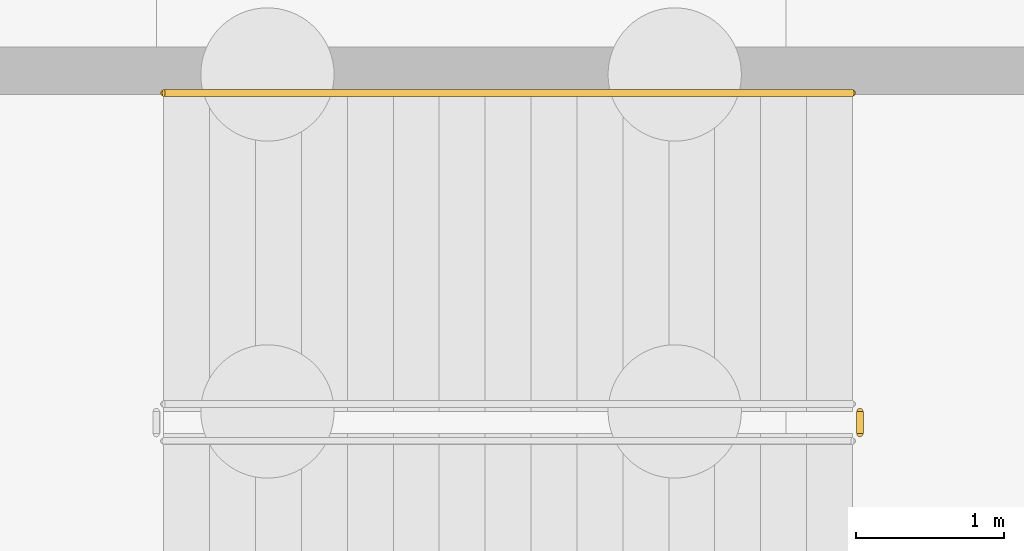
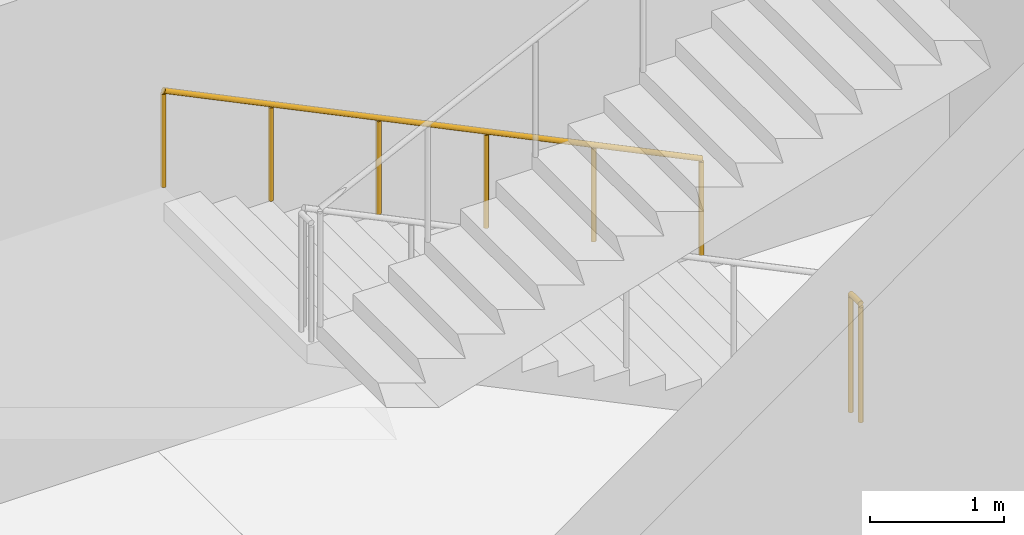
# One storey, part 63 of 64: 2 railings.
"""IFC4 building model written with IfcOpenShell, lengths in metres."""

from ifc_helpers import new_model, si_unit, direction, frame, origin, origin_2d, place, context, subcontext, project, spatial, circle, extrude, material, type_object, element, save


model = new_model("IFC4")

# Units and contexts
model_context = context("Model", 3, precision=1e-05, world=origin(), true_north=direction((0.0, 1.0)))
body_context = subcontext(model_context, "Body", "Model", "MODEL_VIEW")
ifc_project = project(units=[si_unit("LENGTHUNIT", "METRE"), si_unit("AREAUNIT", "SQUARE_METRE"), si_unit("VOLUMEUNIT", "CUBIC_METRE"), si_unit("PLANEANGLEUNIT", "RADIAN"), si_unit("MASSUNIT", "GRAM", prefix="KILO")], contexts=[model_context])

# Site, building, storey
site_placement = place(None, origin())
site = spatial("IfcSite", under=ifc_project, at=site_placement, CompositionType="ELEMENT")
building_placement = place(site_placement, origin())
building = spatial("IfcBuilding", under=site, at=building_placement, Name="Solvadek Multi-Sports Hall", CompositionType="ELEMENT")
storey_placement = place(building_placement, frame((0.0, 0.0, -4.800048828125)))
storey = spatial("IfcBuildingStorey", under=building, at=storey_placement, Name="B1", CompositionType="ELEMENT", Elevation=-4.800048828125)

# Railings
ifc_material = material(Name="Steel E250 (250 MPa)", Category="steel")
railing_type_1 = type_object("IfcRailingType", Name="INT-RAL-GRD115", PredefinedType="BALUSTRADE", material=ifc_material)
railing_1_placement = place(storey_placement, frame((146.35009765625, 67.35009765625, 0.0)))
element("IfcRailing", 1, at=railing_1_placement, inside=storey, type_object=railing_type_1, Name="B1 ST-06 stair guard 4", PredefinedType="BALUSTRADE", context=body_context, shape_type="SweptSolid", body=[
    extrude(circle(Radius=0.02392578125, at=origin_2d()), frame((0.0, 0.0, 1.076171875), z_axis=(0.0, -1.0, 0.0), x_axis=(1.0, 0.0, 0.0)), (0.0, 0.0, 1.0), 0.150146484375),
    extrude(circle(Radius=0.02099609375, at=origin_2d()), origin(), (0.0, 0.0, 1.0), 1.052001953125),
    extrude(circle(Radius=0.02099609375, at=origin_2d()), frame((0.0, -0.150146484375, 0.0)), (0.0, 0.0, 1.0), 1.052001953125),
])
railing_type_2 = type_object("IfcRailingType", Name="INT-RAL-HND090", PredefinedType="HANDRAIL", material=ifc_material)
railing_2_placement = place(storey_placement, frame((146.300048828125, 69.5, 0.150146484375)))
element("IfcRailing", 2, at=railing_2_placement, inside=storey, type_object=railing_type_2, Name="B1 ST-06 stair handrail 1", PredefinedType="HANDRAIL", context=body_context, shape_type="SweptSolid", body=[
    extrude(circle(Radius=0.02392578125, at=origin_2d()), frame((0.0, 0.0, 0.8759765625), z_axis=(-0.900164630878, 0.0, 0.435549810373), x_axis=(0.0, -1.0, 0.0)), (0.0, 0.0, 1.0), 5.165771484375),
    extrude(circle(Radius=0.02099609375, at=origin_2d()), origin(), (0.0, 0.0, 1.0), 0.851806640625),
    extrude(circle(Radius=0.02099609375, at=origin_2d()), frame((-0.929931640625, 0.0, 0.449951171875)), (0.0, 0.0, 1.0), 0.851806640625),
    extrude(circle(Radius=0.02099609375, at=origin_2d()), frame((-1.860107421875, 0.0, 0.89990234375)), (0.0, 0.0, 1.0), 0.851806640625),
    extrude(circle(Radius=0.02099609375, at=origin_2d()), frame((-2.7900390625, 0.0, 1.35009765625)), (0.0, 0.0, 1.0), 0.851806640625),
    extrude(circle(Radius=0.02099609375, at=origin_2d()), frame((-3.72021484375, 0.0, 1.800048828125)), (0.0, 0.0, 1.0), 0.851806640625),
    extrude(circle(Radius=0.02099609375, at=origin_2d()), frame((-4.650146484375, 0.0, 2.25)), (0.0, 0.0, 1.0), 0.851806640625),
])

save(model, "model.ifc")
